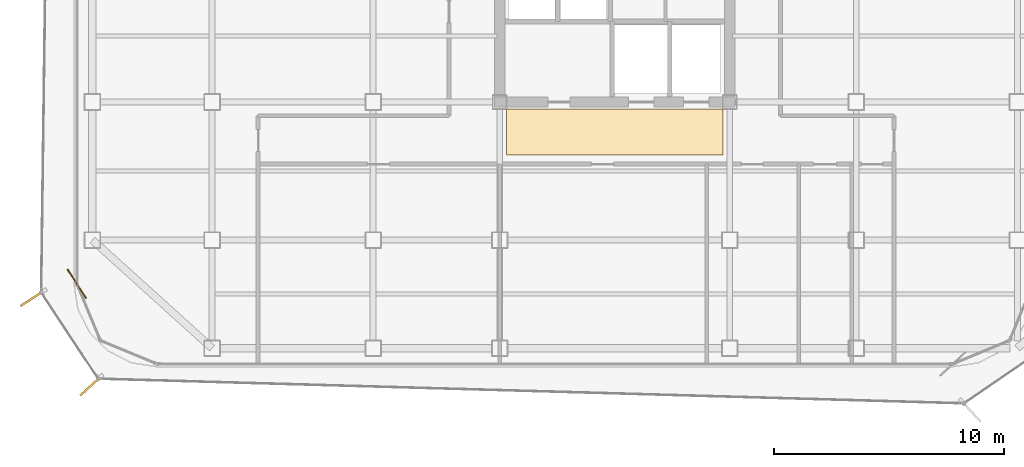
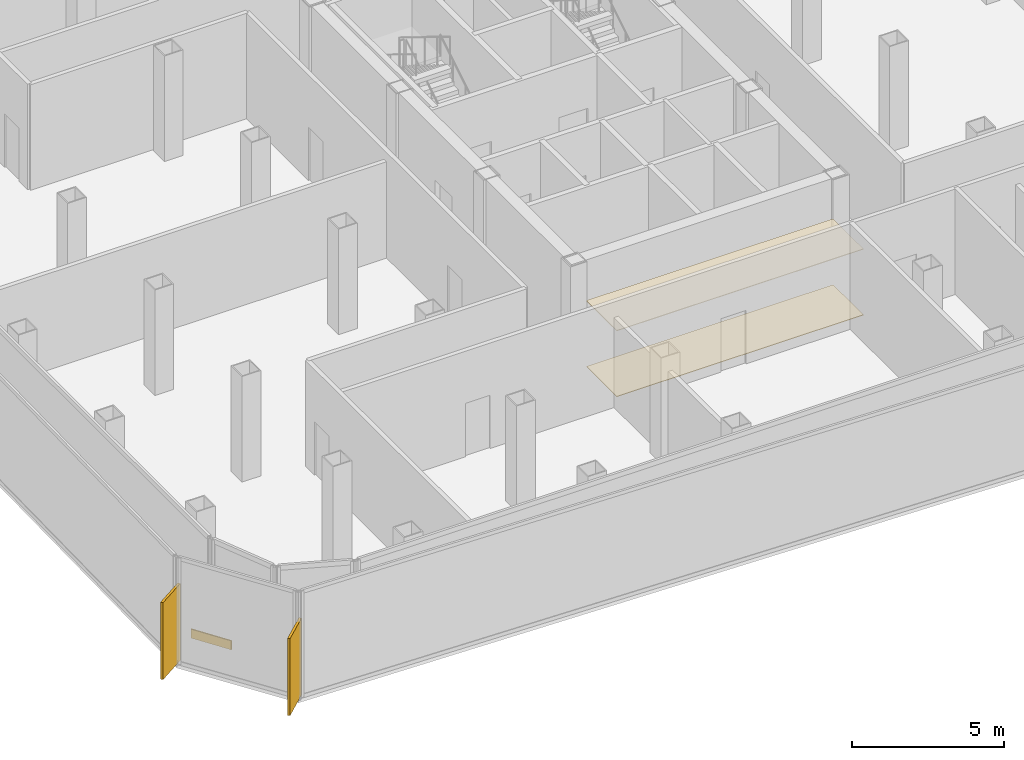
# One storey, part 12 of 14: 3 coverings, 2 shading devices.
"""IFC4 building model written with IfcOpenShell, lengths in metres."""

from ifc_helpers import new_model, si_unit, direction, frame, origin, origin_2d, place, context, subcontext, project, spatial, polyline, rectangle, outline, extrude, source, transform, mapped, material, layer, layer_set, type_object, element, save


model = new_model("IFC4")

# Units and contexts
model_context = context("Model", 3, precision=1e-05, world=origin(), true_north=direction((0.0, 1.0)))
body_context = subcontext(model_context, "Body", "Model", "MODEL_VIEW")
ifc_project = project(units=[si_unit("LENGTHUNIT", "METRE"), si_unit("AREAUNIT", "SQUARE_METRE"), si_unit("VOLUMEUNIT", "CUBIC_METRE"), si_unit("PLANEANGLEUNIT", "RADIAN"), si_unit("MASSUNIT", "GRAM", prefix="KILO")], contexts=[model_context])

# Site, building, storey
site_placement = place(None, origin())
site = spatial("IfcSite", under=ifc_project, at=site_placement, CompositionType="ELEMENT")
building_placement = place(site_placement, origin())
building = spatial("IfcBuilding", under=site, at=building_placement, Name="Kolveth Station Tower", CompositionType="ELEMENT")
storey_placement = place(building_placement, frame((0.0, 0.0, 151.60009765625)))
storey = spatial("IfcBuildingStorey", under=building, at=storey_placement, Name="L42", CompositionType="ELEMENT", Elevation=151.60009765625)

# Coverings
ifc_material_1 = material(Name="Acoustic mineral-fibre ceiling tile")
ifc_layer_1 = layer(ifc_material_1, 0.02490234375)
ifc_layer_set_1 = layer_set([ifc_layer_1], Name="Acoustic mineral-fibre ceiling tile")
covering_type_1 = type_object("IfcCoveringType", Name="Ceil_CL1", PredefinedType="CEILING", material=ifc_layer_set_1)
covering_1_placement = place(storey_placement, frame((0.0, 0.0, 2.64990234375)))
element("IfcCovering", 1, at=covering_1_placement, inside=storey, type_object=covering_type_1, Name="L42 Lift Lobby Suspended Ceiling", PredefinedType="CEILING", context=body_context, shape_type="SweptSolid", body=[
    extrude(outline(polyline([(18.800048828125, 9.199951171875), (28.199951171875, 9.199951171875), (28.199951171875, 11.199951171875), (18.800048828125, 11.199951171875), (18.800048828125, 9.199951171875)])), origin(), (0.0, 0.0, 1.0), 0.02490234375),
])
ifc_material_2 = material(Name="Honed terrazzo flooring")
ifc_layer_2 = layer(ifc_material_2, 0.02001953125)
ifc_layer_set_2 = layer_set([ifc_layer_2], Name="Honed terrazzo flooring")
covering_type_2 = type_object("IfcCoveringType", Name="Floor_FL1", PredefinedType="FLOORING", material=ifc_layer_set_2)
covering_2_placement = place(storey_placement, origin())
element("IfcCovering", 2, at=covering_2_placement, inside=storey, type_object=covering_type_2, Name="L42 Lift Lobby Floor Finish", PredefinedType="FLOORING", context=body_context, shape_type="SweptSolid", body=[
    extrude(outline(polyline([(18.800048828125, 9.199951171875), (28.199951171875, 9.199951171875), (28.199951171875, 11.199951171875), (18.800048828125, 11.199951171875), (18.800048828125, 9.199951171875)])), origin(), (0.0, 0.0, 1.0), 0.02001953125),
])

# Shading devices
ifc_material_3 = material(Name="Black anodized aluminium 6063-T6", Category="aluminium")
shading_device_type = type_object("IfcShadingDeviceType", Name="FIN_VF1", PredefinedType="USERDEFINED", material=ifc_material_3)
shared_shape_1 = source(origin(), body_context, "Body", "SweptSolid", [
    extrude(rectangle(XDim=1.25, YDim=0.090087890625, at=origin_2d()), origin(), (0.0, 0.0, 1.0), 3.10009765625),
])
for number, where, z_axis, x_axis, name in (
    (3, (-1.800048828125, 2.97412109375, -0.000244140625), (0.0, 0.0, 1.0), (-0.839809417029, -0.542881334243, 0.0), "L42 Dark-Aluminium Solar Fin 7"),
    (4, (0.72705078125, -0.8359375, -0.000244140625), (0.0, 0.0, 1.0), (-0.73727733681, -0.675590207616, 0.0), "L42 Dark-Aluminium Solar Fin 8"),
):
    element("IfcShadingDevice", number, at=place(storey_placement, frame(where, z_axis=z_axis, x_axis=x_axis)), inside=storey, type_object=shading_device_type, Name=name, ObjectType="FIN", PredefinedType="USERDEFINED", context=body_context, shape_type="MappedRepresentation", body=[
        mapped(shared_shape_1, transform((0.0, 0.0, 0.0), x_axis=(1.0, 0.0, 0.0), y_axis=(0.0, 1.0, 0.0), z_axis=(0.0, 0.0, 1.0), scale=1.0)),
    ])

# Covering
ifc_material_4 = material(Name="Charcoal anodized aluminium spandrel cladding", Category="aluminium")
ifc_layer_3 = layer(ifc_material_4, 0.044921875)
ifc_layer_set_3 = layer_set([ifc_layer_3], Name="Charcoal anodized aluminium spandrel cladding")
covering_type_3 = type_object("IfcCoveringType", Name="Clad_CD1", PredefinedType="CLADDING", material=ifc_layer_set_3)
shared_shape_2 = source(origin(), body_context, "Body", "SweptSolid", [
    extrude(rectangle(XDim=1.5, YDim=0.044921875, at=origin_2d()), origin(), (0.0, 0.0, 1.0), 0.360107421875),
])
covering_3_placement = place(storey_placement, frame((0.1201171875, 3.60009765625, 0.0), z_axis=(0.0, 0.0, 1.0), x_axis=(0.542881334243, -0.839809417029, 0.0)))
element("IfcCovering", 5, at=covering_3_placement, inside=storey, type_object=covering_type_3, Name="L42 Spandrel Edge Cladding 7", PredefinedType="CLADDING", context=body_context, shape_type="MappedRepresentation", body=[
    mapped(shared_shape_2, transform((0.0, 0.0, 0.0), x_axis=(1.0, 0.0, 0.0), y_axis=(0.0, 1.0, 0.0), z_axis=(0.0, 0.0, 1.0), scale=1.0)),
])

save(model, "model.ifc")
